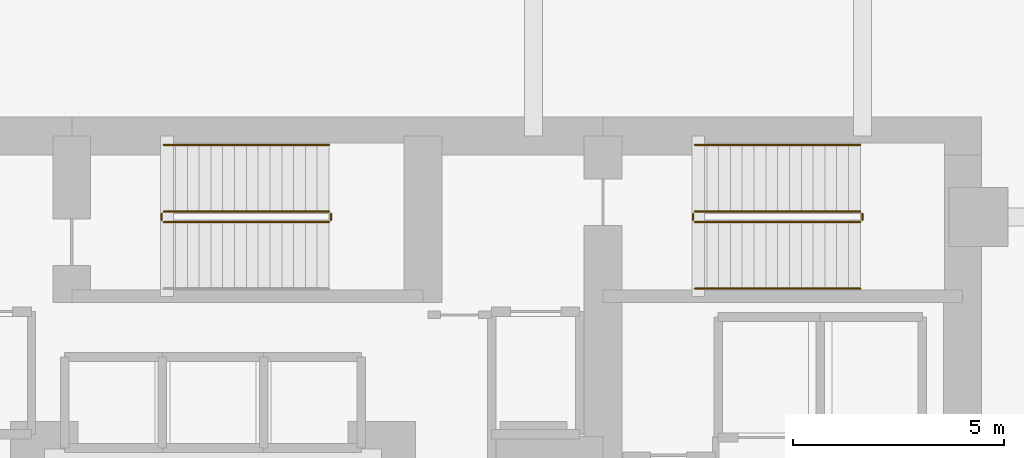
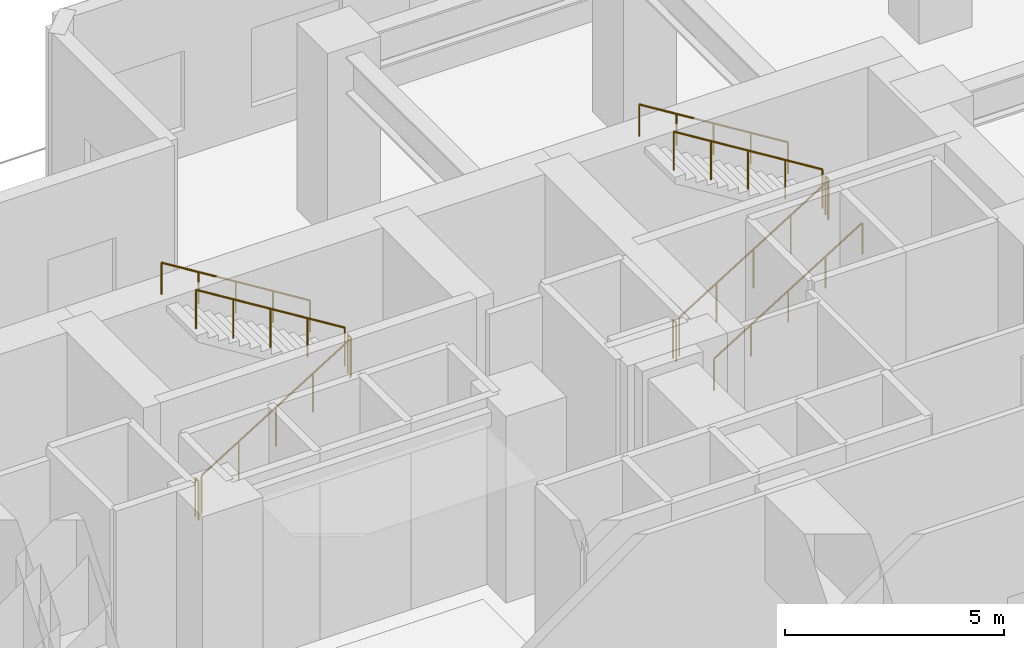
# One storey, part 12 of 13: 11 railings.
"""IFC4 building model written with IfcOpenShell, lengths in metres."""

from ifc_helpers import new_model, si_unit, direction, frame, origin, origin_2d, place, context, subcontext, project, spatial, circle, extrude, material, type_object, element, save


model = new_model("IFC4")

# Units and contexts
model_context = context("Model", 3, precision=1e-05, world=origin(), true_north=direction((0.0, 1.0)))
body_context = subcontext(model_context, "Body", "Model", "MODEL_VIEW")
ifc_project = project(units=[si_unit("LENGTHUNIT", "METRE"), si_unit("AREAUNIT", "SQUARE_METRE"), si_unit("VOLUMEUNIT", "CUBIC_METRE"), si_unit("PLANEANGLEUNIT", "RADIAN"), si_unit("MASSUNIT", "GRAM", prefix="KILO")], contexts=[model_context])

# Site, building, storey
site_placement = place(None, origin())
site = spatial("IfcSite", under=ifc_project, at=site_placement, CompositionType="ELEMENT")
building_placement = place(site_placement, origin())
building = spatial("IfcBuilding", under=site, at=building_placement, Name="Kestravale Grand Hotel", CompositionType="ELEMENT")
storey_placement = place(building_placement, frame((0.0, 0.0, 20.800048828125)))
storey = spatial("IfcBuildingStorey", under=building, at=storey_placement, Name="L04", CompositionType="ELEMENT", Elevation=20.800048828125)

# Railings
ifc_material_1 = material(Name="Painted tubular steel stair well guard", Category="steel")
railing_type_1 = type_object("IfcRailingType", Name="RL-ST-GRD1100", PredefinedType="GUARDRAIL", material=ifc_material_1)
railing_1_placement = place(storey_placement, frame((38.030029296875, 38.280029296875, 0.17333984375)))
element("IfcRailing", 1, at=railing_1_placement, inside=storey, type_object=railing_type_1, Name="L04 ST-2 stair guard 1", PredefinedType="GUARDRAIL", context=body_context, shape_type="SweptSolid", body=[
    extrude(circle(Radius=0.02392578125, at=origin_2d()), frame((0.0, 0.0, 1.076171875), z_axis=(0.850275303828, 0.0, 0.526338206574), x_axis=(0.0, 1.0, 0.0)), (0.0, 0.0, 1.0), 4.610107421875),
    extrude(circle(Radius=0.02099609375, at=origin_2d()), origin(), (0.0, 0.0, 1.0), 1.052001953125),
    extrude(circle(Radius=0.02099609375, at=origin_2d()), frame((0.97998046875, 0.0, 0.606689453125)), (0.0, 0.0, 1.0), 1.052001953125),
    extrude(circle(Radius=0.02099609375, at=origin_2d()), frame((1.9599609375, 0.0, 1.21337890625)), (0.0, 0.0, 1.0), 1.052001953125),
    extrude(circle(Radius=0.02099609375, at=origin_2d()), frame((2.93994140625, 0.0, 1.81982421875)), (0.0, 0.0, 1.0), 1.052001953125),
    extrude(circle(Radius=0.02099609375, at=origin_2d()), frame((3.919921875, 0.0, 2.426513671875)), (0.0, 0.0, 1.0), 1.052001953125),
])
railing_2_placement = place(storey_placement, frame((42.0, 38.330078125, 2.599853515625)))
element("IfcRailing", 2, at=railing_2_placement, inside=storey, type_object=railing_type_1, Name="L04 ST-2 stair guard 2", PredefinedType="GUARDRAIL", context=body_context, shape_type="SweptSolid", body=[
    extrude(circle(Radius=0.02392578125, at=origin_2d()), frame((0.0, 0.0, 1.076171875), z_axis=(0.0, 1.0, 0.0), x_axis=(-1.0, 0.0, 0.0)), (0.0, 0.0, 1.0), 0.14990234375),
    extrude(circle(Radius=0.02099609375, at=origin_2d()), origin(), (0.0, 0.0, 1.0), 1.052001953125),
    extrude(circle(Radius=0.02099609375, at=origin_2d()), frame((0.0, 0.14990234375, 0.0)), (0.0, 0.0, 1.0), 1.052001953125),
])
railing_3_placement = place(storey_placement, frame((41.949951171875, 38.530029296875, 2.773193359375)))
element("IfcRailing", 3, at=railing_3_placement, inside=storey, type_object=railing_type_1, Name="L04 ST-2 stair guard 3", PredefinedType="GUARDRAIL", context=body_context, shape_type="SweptSolid", body=[
    extrude(circle(Radius=0.02392578125, at=origin_2d()), frame((0.0, 0.0, 1.076171875), z_axis=(-0.850251603719, 0.0, 0.526376491091), x_axis=(0.0, -1.0, 0.0)), (0.0, 0.0, 1.0), 4.6103515625),
    extrude(circle(Radius=0.02099609375, at=origin_2d()), origin(), (0.0, 0.0, 1.0), 1.052001953125),
    extrude(circle(Radius=0.02099609375, at=origin_2d()), frame((-0.97998046875, 0.0, 0.606689453125)), (0.0, 0.0, 1.0), 1.052001953125),
    extrude(circle(Radius=0.02099609375, at=origin_2d()), frame((-1.9599609375, 0.0, 1.21337890625)), (0.0, 0.0, 1.0), 1.052001953125),
    extrude(circle(Radius=0.02099609375, at=origin_2d()), frame((-2.93994140625, 0.0, 1.820068359375)), (0.0, 0.0, 1.0), 1.052001953125),
    extrude(circle(Radius=0.02099609375, at=origin_2d()), frame((-3.919921875, 0.0, 2.4267578125)), (0.0, 0.0, 1.0), 1.052001953125),
])
railing_4_placement = place(storey_placement, frame((37.97998046875, 38.330078125, 0.0)))
element("IfcRailing", 4, at=railing_4_placement, inside=storey, type_object=railing_type_1, Name="L04 ST-2 stair guard 4", PredefinedType="GUARDRAIL", context=body_context, shape_type="SweptSolid", body=[
    extrude(circle(Radius=0.02392578125, at=origin_2d()), frame((0.0, 0.0, 1.076171875), z_axis=(0.0, 1.0, 0.0), x_axis=(-1.0, 0.0, 0.0)), (0.0, 0.0, 1.0), 0.14990234375),
    extrude(circle(Radius=0.02099609375, at=origin_2d()), origin(), (0.0, 0.0, 1.0), 1.052001953125),
    extrude(circle(Radius=0.02099609375, at=origin_2d()), frame((0.0, 0.14990234375, 0.0)), (0.0, 0.0, 1.0), 1.052001953125),
])
railing_5_placement = place(storey_placement, frame((50.6298828125, 38.280029296875, 0.17333984375)))
element("IfcRailing", 5, at=railing_5_placement, inside=storey, type_object=railing_type_1, Name="L04 ST-3 stair guard 1", PredefinedType="GUARDRAIL", context=body_context, shape_type="SweptSolid", body=[
    extrude(circle(Radius=0.02392578125, at=origin_2d()), frame((0.0, 0.0, 1.076171875), z_axis=(0.850289973577, 0.0, 0.526314507528), x_axis=(0.0, 1.0, 0.0)), (0.0, 0.0, 1.0), 4.6103515625),
    extrude(circle(Radius=0.02099609375, at=origin_2d()), origin(), (0.0, 0.0, 1.0), 1.052001953125),
    extrude(circle(Radius=0.02099609375, at=origin_2d()), frame((0.97998046875, 0.0, 0.606689453125)), (0.0, 0.0, 1.0), 1.052001953125),
    extrude(circle(Radius=0.02099609375, at=origin_2d()), frame((1.9599609375, 0.0, 1.21337890625)), (0.0, 0.0, 1.0), 1.052001953125),
    extrude(circle(Radius=0.02099609375, at=origin_2d()), frame((2.940185546875, 0.0, 1.81982421875)), (0.0, 0.0, 1.0), 1.052001953125),
    extrude(circle(Radius=0.02099609375, at=origin_2d()), frame((3.920166015625, 0.0, 2.426513671875)), (0.0, 0.0, 1.0), 1.052001953125),
])
railing_6_placement = place(storey_placement, frame((54.60009765625, 38.330078125, 2.599853515625)))
element("IfcRailing", 6, at=railing_6_placement, inside=storey, type_object=railing_type_1, Name="L04 ST-3 stair guard 2", PredefinedType="GUARDRAIL", context=body_context, shape_type="SweptSolid", body=[
    extrude(circle(Radius=0.02392578125, at=origin_2d()), frame((0.0, 0.0, 1.076171875), z_axis=(0.0, 1.0, 0.0), x_axis=(-1.0, 0.0, 0.0)), (0.0, 0.0, 1.0), 0.14990234375),
    extrude(circle(Radius=0.02099609375, at=origin_2d()), origin(), (0.0, 0.0, 1.0), 1.052001953125),
    extrude(circle(Radius=0.02099609375, at=origin_2d()), frame((0.0, 0.14990234375, 0.0)), (0.0, 0.0, 1.0), 1.052001953125),
])
railing_7_placement = place(storey_placement, frame((54.550048828125, 38.530029296875, 2.773193359375)))
element("IfcRailing", 7, at=railing_7_placement, inside=storey, type_object=railing_type_1, Name="L04 ST-3 stair guard 3", PredefinedType="GUARDRAIL", context=body_context, shape_type="SweptSolid", body=[
    extrude(circle(Radius=0.02392578125, at=origin_2d()), frame((0.0, 0.0, 1.076171875), z_axis=(-0.850266275192, 0.0, 0.526352791643), x_axis=(0.0, -1.0, 0.0)), (0.0, 0.0, 1.0), 4.610595703125),
    extrude(circle(Radius=0.02099609375, at=origin_2d()), origin(), (0.0, 0.0, 1.0), 1.052001953125),
    extrude(circle(Radius=0.02099609375, at=origin_2d()), frame((-0.97998046875, 0.0, 0.606689453125)), (0.0, 0.0, 1.0), 1.052001953125),
    extrude(circle(Radius=0.02099609375, at=origin_2d()), frame((-1.9599609375, 0.0, 1.21337890625)), (0.0, 0.0, 1.0), 1.052001953125),
    extrude(circle(Radius=0.02099609375, at=origin_2d()), frame((-2.940185546875, 0.0, 1.820068359375)), (0.0, 0.0, 1.0), 1.052001953125),
    extrude(circle(Radius=0.02099609375, at=origin_2d()), frame((-3.920166015625, 0.0, 2.4267578125)), (0.0, 0.0, 1.0), 1.052001953125),
])
railing_8_placement = place(storey_placement, frame((50.580078125, 38.330078125, 0.0)))
element("IfcRailing", 8, at=railing_8_placement, inside=storey, type_object=railing_type_1, Name="L04 ST-3 stair guard 4", PredefinedType="GUARDRAIL", context=body_context, shape_type="SweptSolid", body=[
    extrude(circle(Radius=0.02392578125, at=origin_2d()), frame((0.0, 0.0, 1.076171875), z_axis=(0.0, 1.0, 0.0), x_axis=(-1.0, 0.0, 0.0)), (0.0, 0.0, 1.0), 0.14990234375),
    extrude(circle(Radius=0.02099609375, at=origin_2d()), origin(), (0.0, 0.0, 1.0), 1.052001953125),
    extrude(circle(Radius=0.02099609375, at=origin_2d()), frame((0.0, 0.14990234375, 0.0)), (0.0, 0.0, 1.0), 1.052001953125),
])
ifc_material_2 = material(Name="Brushed stainless steel wall handrail", Category="steel")
railing_type_2 = type_object("IfcRailingType", Name="RL-ST-HND900", PredefinedType="HANDRAIL", material=ifc_material_2)
railing_9_placement = place(storey_placement, frame((41.949951171875, 40.110107421875, 2.773193359375)))
element("IfcRailing", 9, at=railing_9_placement, inside=storey, type_object=railing_type_2, Name="L04 ST-2 stair handrail 2", PredefinedType="HANDRAIL", context=body_context, shape_type="SweptSolid", body=[
    extrude(circle(Radius=0.02392578125, at=origin_2d()), frame((0.0, 0.0, 0.8759765625), z_axis=(-0.850251603719, 0.0, 0.526376491091), x_axis=(0.0, -1.0, 0.0)), (0.0, 0.0, 1.0), 4.6103515625),
    extrude(circle(Radius=0.02099609375, at=origin_2d()), origin(), (0.0, 0.0, 1.0), 0.851806640625),
    extrude(circle(Radius=0.02099609375, at=origin_2d()), frame((-0.97998046875, 0.0, 0.606689453125)), (0.0, 0.0, 1.0), 0.851806640625),
    extrude(circle(Radius=0.02099609375, at=origin_2d()), frame((-1.9599609375, 0.0, 1.21337890625)), (0.0, 0.0, 1.0), 0.851806640625),
    extrude(circle(Radius=0.02099609375, at=origin_2d()), frame((-2.93994140625, 0.0, 1.820068359375)), (0.0, 0.0, 1.0), 0.851806640625),
    extrude(circle(Radius=0.02099609375, at=origin_2d()), frame((-3.919921875, 0.0, 2.4267578125)), (0.0, 0.0, 1.0), 0.851806640625),
])
railing_10_placement = place(storey_placement, frame((50.6298828125, 36.699951171875, 0.17333984375)))
element("IfcRailing", 10, at=railing_10_placement, inside=storey, type_object=railing_type_2, Name="L04 ST-3 stair handrail 1", PredefinedType="HANDRAIL", context=body_context, shape_type="SweptSolid", body=[
    extrude(circle(Radius=0.02392578125, at=origin_2d()), frame((0.0, 0.0, 0.8759765625), z_axis=(0.850289973577, 0.0, 0.526314507528), x_axis=(0.0, 1.0, 0.0)), (0.0, 0.0, 1.0), 4.6103515625),
    extrude(circle(Radius=0.02099609375, at=origin_2d()), origin(), (0.0, 0.0, 1.0), 0.851806640625),
    extrude(circle(Radius=0.02099609375, at=origin_2d()), frame((0.97998046875, 0.0, 0.606689453125)), (0.0, 0.0, 1.0), 0.851806640625),
    extrude(circle(Radius=0.02099609375, at=origin_2d()), frame((1.9599609375, 0.0, 1.21337890625)), (0.0, 0.0, 1.0), 0.851806640625),
    extrude(circle(Radius=0.02099609375, at=origin_2d()), frame((2.940185546875, 0.0, 1.81982421875)), (0.0, 0.0, 1.0), 0.851806640625),
    extrude(circle(Radius=0.02099609375, at=origin_2d()), frame((3.920166015625, 0.0, 2.426513671875)), (0.0, 0.0, 1.0), 0.851806640625),
])
railing_11_placement = place(storey_placement, frame((54.550048828125, 40.110107421875, 2.773193359375)))
element("IfcRailing", 11, at=railing_11_placement, inside=storey, type_object=railing_type_2, Name="L04 ST-3 stair handrail 2", PredefinedType="HANDRAIL", context=body_context, shape_type="SweptSolid", body=[
    extrude(circle(Radius=0.02392578125, at=origin_2d()), frame((0.0, 0.0, 0.8759765625), z_axis=(-0.850266275192, 0.0, 0.526352791643), x_axis=(0.0, -1.0, 0.0)), (0.0, 0.0, 1.0), 4.610595703125),
    extrude(circle(Radius=0.02099609375, at=origin_2d()), origin(), (0.0, 0.0, 1.0), 0.851806640625),
    extrude(circle(Radius=0.02099609375, at=origin_2d()), frame((-0.97998046875, 0.0, 0.606689453125)), (0.0, 0.0, 1.0), 0.851806640625),
    extrude(circle(Radius=0.02099609375, at=origin_2d()), frame((-1.9599609375, 0.0, 1.21337890625)), (0.0, 0.0, 1.0), 0.851806640625),
    extrude(circle(Radius=0.02099609375, at=origin_2d()), frame((-2.940185546875, 0.0, 1.820068359375)), (0.0, 0.0, 1.0), 0.851806640625),
    extrude(circle(Radius=0.02099609375, at=origin_2d()), frame((-3.920166015625, 0.0, 2.4267578125)), (0.0, 0.0, 1.0), 0.851806640625),
])

save(model, "model.ifc")
